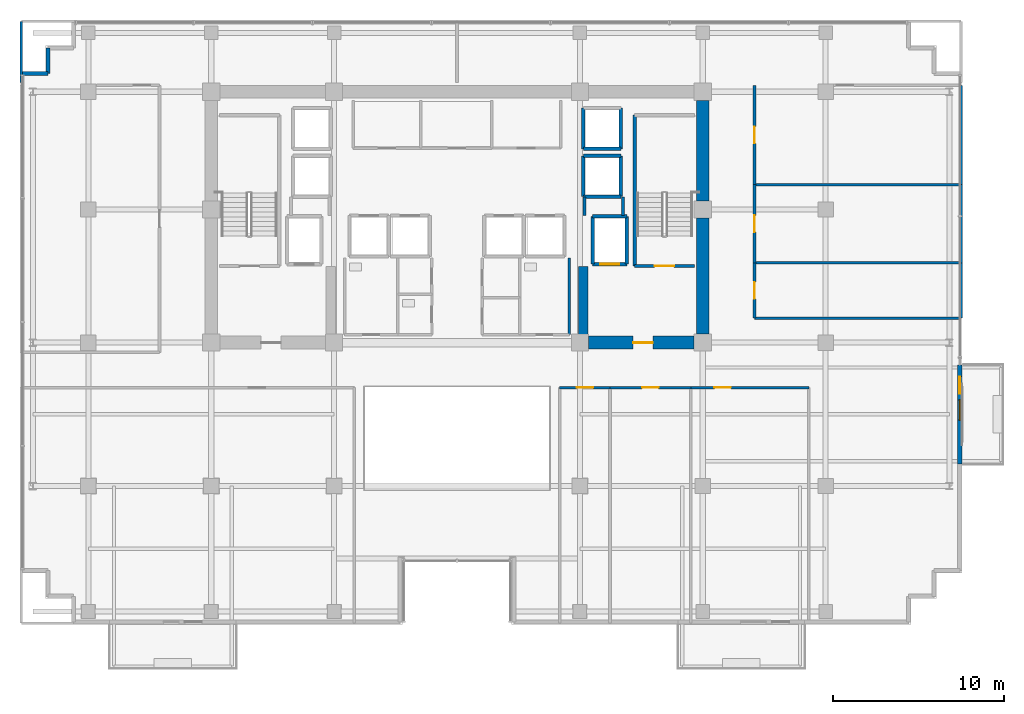
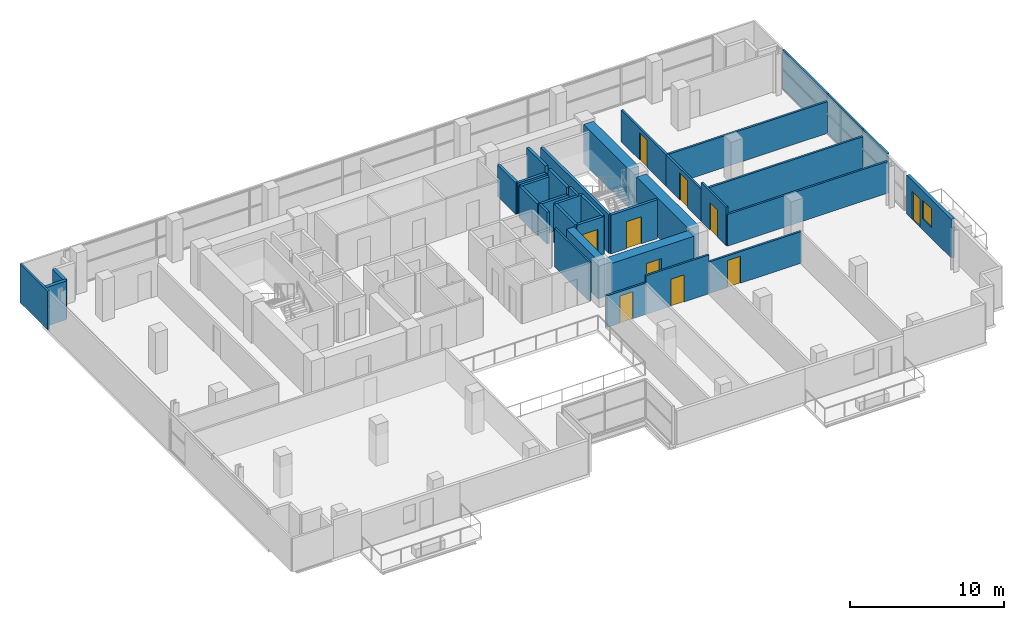
# One storey, part 19 of 24: 36 walls, 10 doors, 1 window, 11 openings.
"""IFC4 building model written with IfcOpenShell, lengths in metres."""

from ifc_helpers import new_model, si_unit, direction, frame, frame_2d, origin, place, context, subcontext, project, spatial, rectangle, extrude, source, transform, mapped, material, layer, layer_set, type_object, element, fill, save


model = new_model("IFC4")

# Units and contexts
model_context = context("Model", 3, precision=1e-05, world=origin(), true_north=direction((0.0, 1.0)))
body_context = subcontext(model_context, "Body", "Model", "MODEL_VIEW")
ifc_project = project(units=[si_unit("LENGTHUNIT", "METRE"), si_unit("AREAUNIT", "SQUARE_METRE"), si_unit("VOLUMEUNIT", "CUBIC_METRE"), si_unit("PLANEANGLEUNIT", "RADIAN"), si_unit("MASSUNIT", "GRAM", prefix="KILO")], contexts=[model_context])

# Site, building, storey
site_placement = place(None, origin())
site = spatial("IfcSite", under=ifc_project, at=site_placement, CompositionType="ELEMENT")
building_placement = place(site_placement, origin())
building = spatial("IfcBuilding", under=site, at=building_placement, Name="Zarnakvel Exchange Tower", CompositionType="ELEMENT")
storey_placement = place(building_placement, frame((0.0, 0.0, 133.0)))
storey = spatial("IfcBuildingStorey", under=building, at=storey_placement, Name="L37", CompositionType="ELEMENT", Elevation=133.0)

# Walls
ifc_material_1 = material(Name="Concrete C60/75", Category="concrete")
ifc_layer_1 = layer(ifc_material_1, 0.75)
ifc_layer_set_1 = layer_set([ifc_layer_1], Name="Concrete C60/75")
wall_type_1 = type_object("IfcWallType", Name="CW-C3", PredefinedType="SHEAR", material=ifc_layer_set_1)
wall_1_placement = place(storey_placement, frame((14.39990234375, -0.699951171875, 0.0), z_axis=(0.0, 0.0, 1.0), x_axis=(0.0, 1.0, 0.0)))
element("IfcWall", 1, at=wall_1_placement, inside=storey, type_object=wall_type_1, Name="L37 Rear Core Shear Wall E1 (CW-C3)", PredefinedType="SHEAR", context=body_context, shape_type="SweptSolid", body=[
    extrude(rectangle(XDim=6.800048828125, YDim=0.75, at=frame_2d((3.39990234375, 0.0))), origin(), (0.0, 0.0, 1.0), 3.074951171875),
])
wall_2_placement = place(storey_placement, frame((14.39990234375, 7.10009765625, 0.0), z_axis=(0.0, 0.0, 1.0), x_axis=(0.0, 1.0, 0.0)))
element("IfcWall", 2, at=wall_2_placement, inside=storey, type_object=wall_type_1, Name="L37 Rear Core Shear Wall E2 (CW-C3)", PredefinedType="SHEAR", context=body_context, shape_type="SweptSolid", body=[
    extrude(rectangle(XDim=5.89990234375, YDim=0.75, at=frame_2d((2.949951171875, 0.0))), origin(), (0.0, 0.0, 1.0), 3.074951171875),
])

# Wall, opening, door
wall_3_placement = place(storey_placement, frame((13.89990234375, -1.199951171875, 0.0), z_axis=(0.0, 0.0, 1.0), x_axis=(-1.0, 0.0, 0.0)))
wall_3 = element("IfcWall", 3, at=wall_3_placement, inside=storey, type_object=wall_type_1, Name="L37 Rear Core Shear Wall SE (CW-C3)", PredefinedType="SHEAR", context=body_context, shape_type="SweptSolid", body=[
    extrude(rectangle(XDim=6.199951171875, YDim=0.75, at=frame_2d((3.10009765625, 0.0))), origin(), (0.0, 0.0, 1.0), 3.074951171875),
])
opening_1_placement = place(wall_3_placement, frame((2.425048828125, 0.0, 0.0)))
opening_1 = element("IfcOpeningElement", 4, at=opening_1_placement, cuts=wall_3, Name="Opening D-L37-04", PredefinedType="OPENING", context=body_context, shape_type="SweptSolid", body=[
    extrude(rectangle(XDim=1.14990234375, YDim=2.14990234375, at=frame_2d((0.574951171875, 1.074951171875))), frame((0.0, 0.385009765625, 0.0), z_axis=(0.0, -1.0, 0.0), x_axis=(1.0, 0.0, 0.0)), (0.0, 0.0, 1.0), 0.77001953125),
])
ifc_material_2 = material(Name="Painted Galvanised Steel S355", Category="steel")
door_type_1 = type_object("IfcDoorType", Name="DT-04", OperationType="NOTDEFINED", PredefinedType="DOOR", material=ifc_material_2)
shared_shape_1 = source(origin(), body_context, "Body", "SweptSolid", [
    extrude(rectangle(XDim=1.14990234375, YDim=2.14990234375, at=frame_2d((0.574951171875, 1.074951171875))), frame((0.0, 0.02490234375, 0.0), z_axis=(0.0, -1.0, 0.0), x_axis=(1.0, 0.0, 0.0)), (0.0, 0.0, 1.0), 0.050048828125),
])
door_1_placement = place(opening_1_placement, origin())
door_1 = element("IfcDoor", 5, at=door_1_placement, inside=storey, type_object=door_type_1, Name="L37 Firefighting Lobby East Door D-L37-04", OperationType="SINGLE_SWING_RIGHT", OverallHeight=2.14990234375, OverallWidth=1.14990234375, PredefinedType="DOOR", context=body_context, shape_type="MappedRepresentation", body=[
    mapped(shared_shape_1, transform((0.0, 0.0, 0.0), x_axis=(1.0, 0.0, 0.0), y_axis=(0.0, 1.0, 0.0), z_axis=(0.0, 0.0, 1.0), scale=1.0)),
])
fill(opening_1, door_1)

# Wall
ifc_layer_2 = layer(ifc_material_1, 0.550048828125)
ifc_layer_set_2 = layer_set([ifc_layer_2], Name="Concrete C60/75")
wall_type_2 = type_object("IfcWallType", Name="CW-C4", PredefinedType="SHEAR", material=ifc_layer_set_2)
wall_4_placement = place(storey_placement, frame((7.39990234375, -0.824951171875, 0.0), z_axis=(0.0, 0.0, 1.0), x_axis=(0.0, 1.0, 0.0)))
element("IfcWall", 6, at=wall_4_placement, inside=storey, type_object=wall_type_2, Name="L37 Rear Core Shear Wall IE (CW-C4)", PredefinedType="SHEAR", context=body_context, shape_type="SweptSolid", body=[
    extrude(rectangle(XDim=4.074951171875, YDim=0.550048828125, at=frame_2d((2.03759765625, 0.0))), origin(), (0.0, 0.0, 1.0), 3.074951171875),
])

# Wall, openings, door, window
ifc_material_3 = material(Name="Precast concrete C40/50", Category="concrete")
ifc_layer_3 = layer(ifc_material_3, 0.239990234375)
ifc_layer_set_3 = layer_set([ifc_layer_3], Name="Precast concrete C40/50")
wall_type_3 = type_object("IfcWallType", Name="EW-02", PredefinedType="SOLIDWALL", material=ifc_layer_set_3)
wall_5_placement = place(storey_placement, frame((29.4599609375, -2.5, 0.0), z_axis=(0.0, 0.0, 1.0), x_axis=(0.0, -1.0, 0.0)))
wall_5 = element("IfcWall", 7, at=wall_5_placement, inside=storey, type_object=wall_type_3, Name="L37 Exterior Precast Spandrel Wall EW-BAL-L37-E (EW-02)", PredefinedType="SOLIDWALL", context=body_context, shape_type="SweptSolid", body=[
    extrude(rectangle(XDim=5.800048828125, YDim=0.239990234375, at=frame_2d((2.89990234375, 0.0))), origin(), (0.0, 0.0, 1.0), 3.074951171875),
])
opening_2_placement = place(wall_5_placement, frame((0.696044921875, 0.0, 0.0)))
opening_2 = element("IfcOpeningElement", 8, at=opening_2_placement, cuts=wall_5, Name="Opening BD-L37-03", PredefinedType="OPENING", context=body_context, shape_type="SweptSolid", body=[
    extrude(rectangle(XDim=1.0, YDim=2.199951171875, at=frame_2d((0.5, 1.10009765625))), frame((0.0, 0.1298828125, 0.0), z_axis=(0.0, -1.0, 0.0), x_axis=(1.0, 0.0, 0.0)), (0.0, 0.0, 1.0), 0.260009765625),
])
opening_3_placement = place(wall_5_placement, frame((2.0458984375, 0.0, 0.85009765625)))
opening_3 = element("IfcOpeningElement", 9, at=opening_3_placement, cuts=wall_5, Name="Opening WN-04", PredefinedType="OPENING", context=body_context, shape_type="SweptSolid", body=[
    extrude(rectangle(XDim=1.199951171875, YDim=1.5, at=frame_2d((0.60009765625, 0.75))), frame((0.0, 0.1298828125, 0.0), z_axis=(0.0, -1.0, 0.0), x_axis=(1.0, 0.0, 0.0)), (0.0, 0.0, 1.0), 0.260009765625),
])
ifc_material_4 = material(Name="Architectural Bronze Anodised Aluminium", Category="aluminium")
door_type_2 = type_object("IfcDoorType", Name="DT-09", OperationType="NOTDEFINED", PredefinedType="DOOR", material=ifc_material_4)
shared_shape_2 = source(origin(), body_context, "Body", "SweptSolid", [
    extrude(rectangle(XDim=1.0, YDim=2.199951171875, at=frame_2d((0.5, 1.10009765625))), frame((0.0, 0.02490234375, 0.0), z_axis=(0.0, -1.0, 0.0), x_axis=(1.0, 0.0, 0.0)), (0.0, 0.0, 1.0), 0.050048828125),
])
door_2_placement = place(opening_2_placement, origin())
door_2 = element("IfcDoor", 10, at=door_2_placement, inside=storey, type_object=door_type_2, Name="L37 Planted Loggia Balcony Door BD-L37-03", OperationType="SINGLE_SWING_LEFT", OverallHeight=2.199951171875, OverallWidth=1.0, PredefinedType="DOOR", context=body_context, shape_type="MappedRepresentation", body=[
    mapped(shared_shape_2, transform((0.0, 0.0, 0.0), x_axis=(1.0, 0.0, 0.0), y_axis=(0.0, 1.0, 0.0), z_axis=(0.0, 0.0, 1.0), scale=1.0)),
])
fill(opening_2, door_2)
ifc_material_5 = material(Name="Double Low-E Laminated Vision Glass", Category="glass")
window_type = type_object("IfcWindowType", Name="WN-04", PartitioningType="SINGLE_PANEL", PredefinedType="WINDOW", material=ifc_material_5)
shared_shape_3 = source(origin(), body_context, "Body", "SweptSolid", [
    extrude(rectangle(XDim=1.199951171875, YDim=1.5, at=frame_2d((0.60009765625, 0.75))), frame((0.0, 0.030029296875, 0.0), z_axis=(0.0, -1.0, 0.0), x_axis=(1.0, 0.0, 0.0)), (0.0, 0.0, 1.0), 0.06005859375),
])
window_placement = place(opening_3_placement, origin())
window = element("IfcWindow", 11, at=window_placement, inside=storey, type_object=window_type, Name="L37 Loggia Daylight Window (WN-04)", OverallHeight=1.5, OverallWidth=1.199951171875, PartitioningType="SINGLE_PANEL", PredefinedType="WINDOW", context=body_context, shape_type="MappedRepresentation", body=[
    mapped(shared_shape_3, transform((0.0, 0.0, 0.0), x_axis=(1.0, 0.0, 0.0), y_axis=(0.0, 1.0, 0.0), z_axis=(0.0, 0.0, 1.0), scale=1.0)),
])
fill(opening_3, window)

# Walls
for number, where, z_axis, x_axis, name in (
    (12, (-23.9599609375, 14.56005859375, 0.0), (0.0, 0.0, 1.0), (-1.0, 0.0, 0.0), "L37 Exterior Precast Spandrel Wall EWC-L37-01 (EW-02)"),
    (13, (-23.9599609375, 16.06005859375, 0.0), (0.0, 0.0, 1.0), (0.0, -1.0, 0.0), "L37 Exterior Precast Spandrel Wall EWC-L37-02 (EW-02)"),
):
    element("IfcWall", number, at=place(storey_placement, frame(where, z_axis=z_axis, x_axis=x_axis)), inside=storey, type_object=wall_type_3, Name=name, PredefinedType="SOLIDWALL", context=body_context, shape_type="SweptSolid", body=[
        extrude(rectangle(XDim=1.5, YDim=0.239990234375, at=frame_2d((0.75, 0.0))), origin(), (0.0, 0.0, 1.0), 3.074951171875),
    ])

# Wall, opening, door
ifc_material_6 = material(Name="Fire-Rated Gypsum Stud Partition", Category="gypsum")
ifc_layer_4 = layer(ifc_material_6, 0.14990234375)
ifc_layer_set_4 = layer_set([ifc_layer_4], Name="Fire-Rated Gypsum Stud Partition")
wall_type_4 = type_object("IfcWallType", Name="PT-01", PredefinedType="PARTITIONING", material=ifc_layer_set_4)
wall_6_placement = place(storey_placement, frame((6.02001953125, -3.830078125, 0.0), z_axis=(0.0, 0.0, 1.0), x_axis=(1.0, 0.0, 0.0)))
wall_6 = element("IfcWall", 14, at=wall_6_placement, inside=storey, type_object=wall_type_4, Name="L37 Partition Wall PWALL-L37-038 (PT-01)", PredefinedType="PARTITIONING", context=body_context, shape_type="SweptSolid", body=[
    extrude(rectangle(XDim=2.944091796875, YDim=0.14990234375, at=frame_2d((1.47216796875, 0.0))), origin(), (0.0, 0.0, 1.0), 2.514892578125),
])
opening_4_placement = place(wall_6_placement, frame((0.98193359375, 0.0, 0.0)))
opening_4 = element("IfcOpeningElement", 15, at=opening_4_placement, cuts=wall_6, Name="Opening D-L37-15", PredefinedType="OPENING", context=body_context, shape_type="SweptSolid", body=[
    extrude(rectangle(XDim=0.97998046875, YDim=2.14990234375, at=frame_2d((0.489990234375, 1.074951171875))), frame((0.0, 0.0849609375, 0.0), z_axis=(0.0, -1.0, 0.0), x_axis=(1.0, 0.0, 0.0)), (0.0, 0.0, 1.0), 0.169921875),
])
ifc_material_7 = material(Name="Timber Acoustic Veneer", Category="wood")
door_type_3 = type_object("IfcDoorType", Name="DT-05", OperationType="NOTDEFINED", PredefinedType="DOOR", material=ifc_material_7)
shared_shape_4 = source(origin(), body_context, "Body", "SweptSolid", [
    extrude(rectangle(XDim=0.97998046875, YDim=2.14990234375, at=frame_2d((0.489990234375, 1.074951171875))), frame((0.0, 0.02490234375, 0.0), z_axis=(0.0, -1.0, 0.0), x_axis=(1.0, 0.0, 0.0)), (0.0, 0.0, 1.0), 0.050048828125),
])
door_3_placement = place(opening_4_placement, origin())
door_3 = element("IfcDoor", 16, at=door_3_placement, inside=storey, type_object=door_type_3, Name="L37 Boardroom Door D-L37-15", OperationType="SINGLE_SWING_LEFT", OverallHeight=2.14990234375, OverallWidth=0.97998046875, PredefinedType="DOOR", context=body_context, shape_type="MappedRepresentation", body=[
    mapped(shared_shape_4, transform((0.0, 0.0, 0.0), x_axis=(1.0, 0.0, 0.0), y_axis=(0.0, 1.0, 0.0), z_axis=(0.0, 0.0, 1.0), scale=1.0)),
])
fill(opening_4, door_3)

wall_7_placement = place(storey_placement, frame((8.964111328125, -3.830078125, 0.0), z_axis=(0.0, 0.0, 1.0), x_axis=(1.0, 0.0, 0.0)))
wall_7 = element("IfcWall", 17, at=wall_7_placement, inside=storey, type_object=wall_type_4, Name="L37 Partition Wall PWALL-L37-042 (PT-01)", PredefinedType="PARTITIONING", context=body_context, shape_type="SweptSolid", body=[
    extrude(rectangle(XDim=4.734130859375, YDim=0.14990234375, at=frame_2d((2.3671875, 0.0))), origin(), (0.0, 0.0, 1.0), 3.074951171875),
])
opening_5_placement = place(wall_7_placement, frame((1.876708984375, 0.0, 0.0)))
opening_5 = element("IfcOpeningElement", 18, at=opening_5_placement, cuts=wall_7, Name="Opening D-L37-16", PredefinedType="OPENING", context=body_context, shape_type="SweptSolid", body=[
    extrude(rectangle(XDim=0.97998046875, YDim=2.14990234375, at=frame_2d((0.489990234375, 1.074951171875))), frame((0.0, 0.0849609375, 0.0), z_axis=(0.0, -1.0, 0.0), x_axis=(1.0, 0.0, 0.0)), (0.0, 0.0, 1.0), 0.169921875),
])
door_4_placement = place(opening_5_placement, origin())
door_4 = element("IfcDoor", 19, at=door_4_placement, inside=storey, type_object=door_type_3, Name="L37 Conference Room Door D-L37-16", OperationType="SINGLE_SWING_RIGHT", OverallHeight=2.14990234375, OverallWidth=0.97998046875, PredefinedType="DOOR", context=body_context, shape_type="MappedRepresentation", body=[
    mapped(shared_shape_4, transform((0.0, 0.0, 0.0), x_axis=(1.0, 0.0, 0.0), y_axis=(0.0, 1.0, 0.0), z_axis=(0.0, 0.0, 1.0), scale=1.0)),
])
fill(opening_5, door_4)

wall_8_placement = place(storey_placement, frame((13.6982421875, -3.830078125, 0.0), z_axis=(0.0, 0.0, 1.0), x_axis=(1.0, 0.0, 0.0)))
wall_8 = element("IfcWall", 20, at=wall_8_placement, inside=storey, type_object=wall_type_4, Name="L37 Partition Wall PWALL-L37-045 (PT-01)", PredefinedType="PARTITIONING", context=body_context, shape_type="SweptSolid", body=[
    extrude(rectangle(XDim=6.921630859375, YDim=0.14990234375, at=frame_2d((3.4609375, 0.0))), origin(), (0.0, 0.0, 1.0), 2.514892578125),
])
opening_6_placement = place(wall_8_placement, frame((1.375732421875, 0.0, 0.0)))
opening_6 = element("IfcOpeningElement", 21, at=opening_6_placement, cuts=wall_8, Name="Opening D-L37-17", PredefinedType="OPENING", context=body_context, shape_type="SweptSolid", body=[
    extrude(rectangle(XDim=0.97998046875, YDim=2.14990234375, at=frame_2d((0.489990234375, 1.074951171875))), frame((0.0, 0.0849609375, 0.0), z_axis=(0.0, -1.0, 0.0), x_axis=(1.0, 0.0, 0.0)), (0.0, 0.0, 1.0), 0.169921875),
])
door_5_placement = place(opening_6_placement, origin())
door_5 = element("IfcDoor", 22, at=door_5_placement, inside=storey, type_object=door_type_3, Name="L37 Executive Pantry Door D-L37-17", OperationType="SINGLE_SWING_LEFT", OverallHeight=2.14990234375, OverallWidth=0.97998046875, PredefinedType="DOOR", context=body_context, shape_type="MappedRepresentation", body=[
    mapped(shared_shape_4, transform((0.0, 0.0, 0.0), x_axis=(1.0, 0.0, 0.0), y_axis=(0.0, 1.0, 0.0), z_axis=(0.0, 0.0, 1.0), scale=1.0)),
])
fill(opening_6, door_5)

# Walls
for number, where, z_axis, x_axis, name in (
    (23, (29.530029296875, 0.235595703125, 0.0), (0.0, 0.0, 1.0), (-1.0, 0.0, 0.0), "L37 Partition Wall PWALL-L37-051 (PT-01)"),
    (24, (17.429931640625, 3.47119140625, 0.0), (0.0, 0.0, 1.0), (1.0, 0.0, 0.0), "L37 Partition Wall PWALL-L37-052 (PT-01)"),
):
    element("IfcWall", number, at=place(storey_placement, frame(where, z_axis=z_axis, x_axis=x_axis)), inside=storey, type_object=wall_type_4, Name=name, PredefinedType="PARTITIONING", context=body_context, shape_type="SweptSolid", body=[
        extrude(rectangle(XDim=12.10009765625, YDim=0.14990234375, at=frame_2d((6.050048828125, 0.0))), origin(), (0.0, 0.0, 1.0), 2.514892578125),
    ])

# Wall, opening, door
wall_9_placement = place(storey_placement, frame((17.429931640625, 0.235595703125, 0.0), z_axis=(0.0, 0.0, 1.0), x_axis=(0.0, 1.0, 0.0)))
wall_9 = element("IfcWall", 25, at=wall_9_placement, inside=storey, type_object=wall_type_4, Name="L37 Partition Wall PWALL-L37-053 (PT-01)", PredefinedType="PARTITIONING", context=body_context, shape_type="SweptSolid", body=[
    extrude(rectangle(XDim=3.235595703125, YDim=0.14990234375, at=frame_2d((1.61767578125, 0.0))), origin(), (0.0, 0.0, 1.0), 3.074951171875),
])
opening_7_placement = place(wall_9_placement, frame((1.12744140625, 0.0, 0.0)))
opening_7 = element("IfcOpeningElement", 26, at=opening_7_placement, cuts=wall_9, Name="Opening D-L37-19", PredefinedType="OPENING", context=body_context, shape_type="SweptSolid", body=[
    extrude(rectangle(XDim=0.97998046875, YDim=2.14990234375, at=frame_2d((0.489990234375, 1.074951171875))), frame((0.0, 0.0849609375, 0.0), z_axis=(0.0, -1.0, 0.0), x_axis=(1.0, 0.0, 0.0)), (0.0, 0.0, 1.0), 0.169921875),
])
door_6_placement = place(opening_7_placement, origin())
door_6 = element("IfcDoor", 27, at=door_6_placement, inside=storey, type_object=door_type_3, Name="L37 Legal Records Office Door D-L37-19", OperationType="SINGLE_SWING_LEFT", OverallHeight=2.14990234375, OverallWidth=0.97998046875, PredefinedType="DOOR", context=body_context, shape_type="MappedRepresentation", body=[
    mapped(shared_shape_4, transform((0.0, 0.0, 0.0), x_axis=(1.0, 0.0, 0.0), y_axis=(0.0, 1.0, 0.0), z_axis=(0.0, 0.0, 1.0), scale=1.0)),
])
fill(opening_7, door_6)

# Walls
wall_10_placement = place(storey_placement, frame((29.530029296875, 3.47119140625, 0.0), z_axis=(0.0, 0.0, 1.0), x_axis=(0.0, -1.0, 0.0)))
element("IfcWall", 28, at=wall_10_placement, inside=storey, type_object=wall_type_4, Name="L37 Partition Wall PWALL-L37-054 (PT-01)", PredefinedType="PARTITIONING", context=body_context, shape_type="SweptSolid", body=[
    extrude(rectangle(XDim=3.235595703125, YDim=0.14990234375, at=frame_2d((1.61767578125, 0.0))), origin(), (0.0, 0.0, 1.0), 3.074951171875),
])
wall_11_placement = place(storey_placement, frame((17.429931640625, 8.060546875, 0.0), z_axis=(0.0, 0.0, 1.0), x_axis=(1.0, 0.0, 0.0)))
element("IfcWall", 29, at=wall_11_placement, inside=storey, type_object=wall_type_4, Name="L37 Partition Wall PWALL-L37-055 (PT-01)", PredefinedType="PARTITIONING", context=body_context, shape_type="SweptSolid", body=[
    extrude(rectangle(XDim=12.10009765625, YDim=0.14990234375, at=frame_2d((6.050048828125, 0.0))), origin(), (0.0, 0.0, 1.0), 2.514892578125),
])

# Wall, opening, door
wall_12_placement = place(storey_placement, frame((17.429931640625, 3.47119140625, 0.0), z_axis=(0.0, 0.0, 1.0), x_axis=(0.0, 1.0, 0.0)))
wall_12 = element("IfcWall", 30, at=wall_12_placement, inside=storey, type_object=wall_type_4, Name="L37 Partition Wall PWALL-L37-056 (PT-01)", PredefinedType="PARTITIONING", context=body_context, shape_type="SweptSolid", body=[
    extrude(rectangle(XDim=4.58935546875, YDim=0.14990234375, at=frame_2d((2.294677734375, 0.0))), origin(), (0.0, 0.0, 1.0), 2.514892578125),
])
opening_8_placement = place(wall_12_placement, frame((1.8046875, 0.0, 0.0)))
opening_8 = element("IfcOpeningElement", 31, at=opening_8_placement, cuts=wall_12, Name="Opening D-L37-20", PredefinedType="OPENING", context=body_context, shape_type="SweptSolid", body=[
    extrude(rectangle(XDim=0.97998046875, YDim=2.14990234375, at=frame_2d((0.489990234375, 1.074951171875))), frame((0.0, 0.0849609375, 0.0), z_axis=(0.0, -1.0, 0.0), x_axis=(1.0, 0.0, 0.0)), (0.0, 0.0, 1.0), 0.169921875),
])
door_7_placement = place(opening_8_placement, origin())
door_7 = element("IfcDoor", 32, at=door_7_placement, inside=storey, type_object=door_type_3, Name="L37 Client Advisory Suite Door D-L37-20", OperationType="SINGLE_SWING_RIGHT", OverallHeight=2.14990234375, OverallWidth=0.97998046875, PredefinedType="DOOR", context=body_context, shape_type="MappedRepresentation", body=[
    mapped(shared_shape_4, transform((0.0, 0.0, 0.0), x_axis=(1.0, 0.0, 0.0), y_axis=(0.0, 1.0, 0.0), z_axis=(0.0, 0.0, 1.0), scale=1.0)),
])
fill(opening_8, door_7)

# Wall
wall_13_placement = place(storey_placement, frame((29.530029296875, 8.060546875, 0.0), z_axis=(0.0, 0.0, 1.0), x_axis=(0.0, -1.0, 0.0)))
element("IfcWall", 33, at=wall_13_placement, inside=storey, type_object=wall_type_4, Name="L37 Partition Wall PWALL-L37-057 (PT-01)", PredefinedType="PARTITIONING", context=body_context, shape_type="SweptSolid", body=[
    extrude(rectangle(XDim=4.58935546875, YDim=0.14990234375, at=frame_2d((2.294677734375, 0.0))), origin(), (0.0, 0.0, 1.0), 3.074951171875),
])

# Wall, opening, door
wall_14_placement = place(storey_placement, frame((17.429931640625, 8.060546875, 0.0), z_axis=(0.0, 0.0, 1.0), x_axis=(0.0, 1.0, 0.0)))
wall_14 = element("IfcWall", 34, at=wall_14_placement, inside=storey, type_object=wall_type_4, Name="L37 Partition Wall PWALL-L37-059 (PT-01)", PredefinedType="PARTITIONING", context=body_context, shape_type="SweptSolid", body=[
    extrude(rectangle(XDim=5.8193359375, YDim=0.14990234375, at=frame_2d((2.90966796875, 0.0))), origin(), (0.0, 0.0, 1.0), 2.514892578125),
])
opening_9_placement = place(wall_14_placement, frame((2.41943359375, 0.0, 0.0)))
opening_9 = element("IfcOpeningElement", 35, at=opening_9_placement, cuts=wall_14, Name="Opening D-L37-21", PredefinedType="OPENING", context=body_context, shape_type="SweptSolid", body=[
    extrude(rectangle(XDim=0.97998046875, YDim=2.14990234375, at=frame_2d((0.489990234375, 1.074951171875))), frame((0.0, 0.0849609375, 0.0), z_axis=(0.0, -1.0, 0.0), x_axis=(1.0, 0.0, 0.0)), (0.0, 0.0, 1.0), 0.169921875),
])
door_8_placement = place(opening_9_placement, origin())
door_8 = element("IfcDoor", 36, at=door_8_placement, inside=storey, type_object=door_type_3, Name="L37 Sovereign Wealth Office Door D-L37-21", OperationType="SINGLE_SWING_LEFT", OverallHeight=2.14990234375, OverallWidth=0.97998046875, PredefinedType="DOOR", context=body_context, shape_type="MappedRepresentation", body=[
    mapped(shared_shape_4, transform((0.0, 0.0, 0.0), x_axis=(1.0, 0.0, 0.0), y_axis=(0.0, 1.0, 0.0), z_axis=(0.0, 0.0, 1.0), scale=1.0)),
])
fill(opening_9, door_8)

# Walls
wall_15_placement = place(storey_placement, frame((29.530029296875, 13.8798828125, 0.0), z_axis=(0.0, 0.0, 1.0), x_axis=(0.0, -1.0, 0.0)))
element("IfcWall", 37, at=wall_15_placement, inside=storey, type_object=wall_type_4, Name="L37 Partition Wall PWALL-L37-060 (PT-01)", PredefinedType="PARTITIONING", context=body_context, shape_type="SweptSolid", body=[
    extrude(rectangle(XDim=5.8193359375, YDim=0.14990234375, at=frame_2d((2.90966796875, 0.0))), origin(), (0.0, 0.0, 1.0), 3.074951171875),
])
wall_16_placement = place(storey_placement, frame((-25.530029296875, 14.030029296875, 0.0), z_axis=(0.0, 0.0, 1.0), x_axis=(0.0, 1.0, 0.0)))
element("IfcWall", 38, at=wall_16_placement, inside=storey, type_object=wall_type_4, Name="L37 Partition Wall PWALL-L37-062 (PT-01)", PredefinedType="PARTITIONING", context=body_context, shape_type="SweptSolid", body=[
    extrude(rectangle(XDim=3.599853515625, YDim=0.14990234375, at=frame_2d((1.7998046875, 0.0))), origin(), (0.0, 0.0, 1.0), 3.074951171875),
])
ifc_layer_5 = layer(ifc_material_6, 0.179931640625)
ifc_layer_set_5 = layer_set([ifc_layer_5], Name="Fire-Rated Gypsum Stud Partition")
wall_type_5 = type_object("IfcWallType", Name="PT-02", PredefinedType="PARTITIONING", material=ifc_layer_set_5)
wall_17_placement = place(storey_placement, frame((7.469970703125, 6.239990234375, 0.0), z_axis=(0.0, 0.0, 1.0), x_axis=(0.0, 1.0, 0.0)))
element("IfcWall", 39, at=wall_17_placement, inside=storey, type_object=wall_type_5, Name="L37 Partition Wall PWALL-L37-009 (PT-02)", PredefinedType="PARTITIONING", context=body_context, shape_type="SweptSolid", body=[
    extrude(rectangle(XDim=1.090087890625, YDim=0.179931640625, at=frame_2d((0.544921875, 0.0))), origin(), (0.0, 0.0, 1.0), 2.514892578125),
])
wall_18_placement = place(storey_placement, frame((9.72998046875, 7.330078125, 0.0), z_axis=(0.0, 0.0, 1.0), x_axis=(0.0, -1.0, 0.0)))
element("IfcWall", 40, at=wall_18_placement, inside=storey, type_object=wall_type_5, Name="L37 Partition Wall PWALL-L37-010 (PT-02)", PredefinedType="PARTITIONING", context=body_context, shape_type="SweptSolid", body=[
    extrude(rectangle(XDim=1.090087890625, YDim=0.179931640625, at=frame_2d((0.544921875, 0.0))), origin(), (0.0, 0.0, 1.0), 3.074951171875),
])
ifc_material_8 = material(Name="Moisture-Resistant Tile-Faced Partition", Category="gypsum")
ifc_layer_6 = layer(ifc_material_8, 0.135009765625)
ifc_layer_set_6 = layer_set([ifc_layer_6], Name="Moisture-Resistant Tile-Faced Partition")
wall_type_6 = type_object("IfcWallType", Name="PT-03", PredefinedType="PARTITIONING", material=ifc_layer_set_6)
wall_19_placement = place(storey_placement, frame((6.580078125, 3.760009765625, 0.0), z_axis=(0.0, 0.0, 1.0), x_axis=(0.0, -1.0, 0.0)))
element("IfcWall", 41, at=wall_19_placement, inside=storey, type_object=wall_type_6, Name="L37 Partition Wall PWALL-L37-032 (PT-03)", PredefinedType="PARTITIONING", context=body_context, shape_type="SweptSolid", body=[
    extrude(rectangle(XDim=4.489990234375, YDim=0.135009765625, at=frame_2d((2.2451171875, 0.0))), origin(), (0.0, 0.0, 1.0), 3.074951171875),
])

# Wall, opening, door
ifc_material_9 = material(Name="Concrete C40/50", Category="concrete")
ifc_layer_7 = layer(ifc_material_9, 0.199951171875)
ifc_layer_set_7 = layer_set([ifc_layer_7], Name="Concrete C40/50")
wall_type_7 = type_object("IfcWallType", Name="SW-01", PredefinedType="SOLIDWALL", material=ifc_layer_set_7)
wall_20_placement = place(storey_placement, frame((9.949951171875, 3.39990234375, 0.0), z_axis=(0.0, 0.0, 1.0), x_axis=(-1.0, 0.0, 0.0)))
wall_20 = element("IfcWall", 42, at=wall_20_placement, inside=storey, type_object=wall_type_7, Name="L37 FL-02 Hoistway Wall South", PredefinedType="SOLIDWALL", context=body_context, shape_type="SweptSolid", body=[
    extrude(rectangle(XDim=2.0, YDim=0.199951171875, at=frame_2d((1.0, 0.0))), origin(), (0.0, 0.0, 1.0), 3.074951171875),
])
opening_10_placement = place(wall_20_placement, frame((0.449951171875, 0.0, 0.0)))
opening_10 = element("IfcOpeningElement", 43, at=opening_10_placement, cuts=wall_20, Name="Opening LD-FL-02-L37", PredefinedType="OPENING", context=body_context, shape_type="SweptSolid", body=[
    extrude(rectangle(XDim=1.10009765625, YDim=2.199951171875, at=frame_2d((0.550048828125, 1.10009765625))), frame((0.0, 0.10986328125, 0.0), z_axis=(0.0, -1.0, 0.0), x_axis=(1.0, 0.0, 0.0)), (0.0, 0.0, 1.0), 0.219970703125),
])
ifc_material_10 = material(Name="Brushed Stainless Steel", Category="steel")
door_type_4 = type_object("IfcDoorType", Name="LDT-01", OperationType="NOTDEFINED", PredefinedType="DOOR", material=ifc_material_10)
shared_shape_5 = source(origin(), body_context, "Body", "SweptSolid", [
    extrude(rectangle(XDim=1.10009765625, YDim=2.199951171875, at=frame_2d((0.550048828125, 1.10009765625))), frame((0.0, 0.02490234375, 0.0), z_axis=(0.0, -1.0, 0.0), x_axis=(1.0, 0.0, 0.0)), (0.0, 0.0, 1.0), 0.050048828125),
])
door_9_placement = place(opening_10_placement, origin())
door_9 = element("IfcDoor", 44, at=door_9_placement, inside=storey, type_object=door_type_4, Name="L37 FL-02 Lift Landing Door LD-FL-02-L37", OperationType="DOUBLE_DOOR_SLIDING", OverallHeight=2.199951171875, OverallWidth=1.10009765625, PredefinedType="DOOR", context=body_context, shape_type="MappedRepresentation", body=[
    mapped(shared_shape_5, transform((0.0, 0.0, 0.0), x_axis=(1.0, 0.0, 0.0), y_axis=(0.0, 1.0, 0.0), z_axis=(0.0, 0.0, 1.0), scale=1.0)),
])
fill(opening_10, door_9)

# Walls
wall_21_placement = place(storey_placement, frame((7.949951171875, 6.199951171875, 0.0), z_axis=(0.0, 0.0, 1.0), x_axis=(1.0, 0.0, 0.0)))
element("IfcWall", 45, at=wall_21_placement, inside=storey, type_object=wall_type_7, Name="L37 FL-02 Hoistway Wall North", PredefinedType="SOLIDWALL", context=body_context, shape_type="SweptSolid", body=[
    extrude(rectangle(XDim=2.0, YDim=0.199951171875, at=frame_2d((1.0, 0.0))), origin(), (0.0, 0.0, 1.0), 3.074951171875),
])
for number, where, z_axis, x_axis, name in (
    (46, (7.949951171875, 3.39990234375, 0.0), (0.0, 0.0, 1.0), (0.0, 1.0, 0.0), "L37 FL-02 Hoistway Wall West"),
    (47, (9.949951171875, 6.199951171875, 0.0), (0.0, 0.0, 1.0), (0.0, -1.0, 0.0), "L37 FL-02 Hoistway Wall East"),
):
    element("IfcWall", number, at=place(storey_placement, frame(where, z_axis=z_axis, x_axis=x_axis)), inside=storey, type_object=wall_type_7, Name=name, PredefinedType="SOLIDWALL", context=body_context, shape_type="SweptSolid", body=[
        extrude(rectangle(XDim=2.800048828125, YDim=0.199951171875, at=frame_2d((1.39990234375, 0.0))), origin(), (0.0, 0.0, 1.0), 3.074951171875),
    ])
for number, where, z_axis, x_axis, name in (
    (48, (9.60009765625, 7.35009765625, 0.0), (0.0, 0.0, 1.0), (-1.0, 0.0, 0.0), "L37 PL-11 Hoistway Wall South"),
    (49, (7.39990234375, 9.75, 0.0), (0.0, 0.0, 1.0), (1.0, 0.0, 0.0), "L37 PL-11 Hoistway Wall North"),
):
    element("IfcWall", number, at=place(storey_placement, frame(where, z_axis=z_axis, x_axis=x_axis)), inside=storey, type_object=wall_type_7, Name=name, PredefinedType="SOLIDWALL", context=body_context, shape_type="SweptSolid", body=[
        extrude(rectangle(XDim=2.2001953125, YDim=0.199951171875, at=frame_2d((1.10009765625, 0.0))), origin(), (0.0, 0.0, 1.0), 2.514892578125),
    ])
wall_22_placement = place(storey_placement, frame((7.39990234375, 7.35009765625, 0.0), z_axis=(0.0, 0.0, 1.0), x_axis=(0.0, 1.0, 0.0)))
element("IfcWall", 50, at=wall_22_placement, inside=storey, type_object=wall_type_7, Name="L37 PL-11 Hoistway Wall West", PredefinedType="SOLIDWALL", context=body_context, shape_type="SweptSolid", body=[
    extrude(rectangle(XDim=2.39990234375, YDim=0.199951171875, at=frame_2d((1.199951171875, 0.0))), origin(), (0.0, 0.0, 1.0), 2.514892578125),
])
wall_23_placement = place(storey_placement, frame((9.60009765625, 9.75, 0.0), z_axis=(0.0, 0.0, 1.0), x_axis=(0.0, -1.0, 0.0)))
element("IfcWall", 51, at=wall_23_placement, inside=storey, type_object=wall_type_7, Name="L37 PL-11 Hoistway Wall East", PredefinedType="SOLIDWALL", context=body_context, shape_type="SweptSolid", body=[
    extrude(rectangle(XDim=2.39990234375, YDim=0.199951171875, at=frame_2d((1.199951171875, 0.0))), origin(), (0.0, 0.0, 1.0), 3.074951171875),
])
wall_24_placement = place(storey_placement, frame((9.60009765625, 10.14990234375, 0.0), z_axis=(0.0, 0.0, 1.0), x_axis=(-1.0, 0.0, 0.0)))
element("IfcWall", 52, at=wall_24_placement, inside=storey, type_object=wall_type_7, Name="L37 PL-12 Hoistway Wall South", PredefinedType="SOLIDWALL", context=body_context, shape_type="SweptSolid", body=[
    extrude(rectangle(XDim=2.2001953125, YDim=0.199951171875, at=frame_2d((1.10009765625, 0.0))), origin(), (0.0, 0.0, 1.0), 2.514892578125),
])
wall_25_placement = place(storey_placement, frame((7.39990234375, 10.14990234375, 0.0), z_axis=(0.0, 0.0, 1.0), x_axis=(0.0, 1.0, 0.0)))
element("IfcWall", 53, at=wall_25_placement, inside=storey, type_object=wall_type_7, Name="L37 PL-12 Hoistway Wall West", PredefinedType="SOLIDWALL", context=body_context, shape_type="SweptSolid", body=[
    extrude(rectangle(XDim=2.400146484375, YDim=0.199951171875, at=frame_2d((1.2001953125, 0.0))), origin(), (0.0, 0.0, 1.0), 2.514892578125),
])
wall_26_placement = place(storey_placement, frame((9.60009765625, 12.550048828125, 0.0), z_axis=(0.0, 0.0, 1.0), x_axis=(0.0, -1.0, 0.0)))
element("IfcWall", 54, at=wall_26_placement, inside=storey, type_object=wall_type_7, Name="L37 PL-12 Hoistway Wall East", PredefinedType="SOLIDWALL", context=body_context, shape_type="SweptSolid", body=[
    extrude(rectangle(XDim=2.400146484375, YDim=0.199951171875, at=frame_2d((1.2001953125, 0.0))), origin(), (0.0, 0.0, 1.0), 3.074951171875),
])

# Wall, opening, door
ifc_layer_8 = layer(ifc_material_9, 0.199951171875)
ifc_layer_set_8 = layer_set([ifc_layer_8], Name="Concrete C40/50")
wall_type_8 = type_object("IfcWallType", Name="SW-02", PredefinedType="SOLIDWALL", material=ifc_layer_set_8)
wall_27_placement = place(storey_placement, frame((13.929931640625, 3.2900390625, 0.0), z_axis=(0.0, 0.0, 1.0), x_axis=(-1.0, 0.0, 0.0)))
wall_27 = element("IfcWall", 55, at=wall_27_placement, inside=storey, type_object=wall_type_8, Name="L37 Stairwell Core Wall PWALL-L37-004 (SW-02)", PredefinedType="SOLIDWALL", context=body_context, shape_type="SweptSolid", body=[
    extrude(rectangle(XDim=3.52001953125, YDim=0.199951171875, at=frame_2d((1.760009765625, 0.0))), origin(), (0.0, 0.0, 1.0), 3.074951171875),
])
opening_11_placement = place(wall_27_placement, frame((1.205078125, 0.0, 0.0)))
opening_11 = element("IfcOpeningElement", 56, at=opening_11_placement, cuts=wall_27, Name="Opening D-L37-02", PredefinedType="OPENING", context=body_context, shape_type="SweptSolid", body=[
    extrude(rectangle(XDim=1.14990234375, YDim=2.14990234375, at=frame_2d((0.574951171875, 1.074951171875))), frame((0.0, 0.10986328125, 0.0), z_axis=(0.0, -1.0, 0.0), x_axis=(1.0, 0.0, 0.0)), (0.0, 0.0, 1.0), 0.219970703125),
])
door_10_placement = place(opening_11_placement, origin())
door_10 = element("IfcDoor", 57, at=door_10_placement, inside=storey, type_object=door_type_1, Name="L37 Stairwell ST-02 Door D-L37-02", OperationType="SINGLE_SWING_RIGHT", OverallHeight=2.14990234375, OverallWidth=1.14990234375, PredefinedType="DOOR", context=body_context, shape_type="MappedRepresentation", body=[
    mapped(shared_shape_1, transform((0.0, 0.0, 0.0), x_axis=(1.0, 0.0, 0.0), y_axis=(0.0, 1.0, 0.0), z_axis=(0.0, 0.0, 1.0), scale=1.0)),
])
fill(opening_11, door_10)

# Wall
wall_28_placement = place(storey_placement, frame((10.409912109375, 3.2900390625, 0.0), z_axis=(0.0, 0.0, 1.0), x_axis=(0.0, 1.0, 0.0)))
element("IfcWall", 58, at=wall_28_placement, inside=storey, type_object=wall_type_8, Name="L37 Stairwell Core Wall PWALL-L37-006 (SW-02)", PredefinedType="SOLIDWALL", context=body_context, shape_type="SweptSolid", body=[
    extrude(rectangle(XDim=8.83984375, YDim=0.199951171875, at=frame_2d((4.419921875, 0.0))), origin(), (0.0, 0.0, 1.0), 3.074951171875),
])

save(model, "model.ifc")
